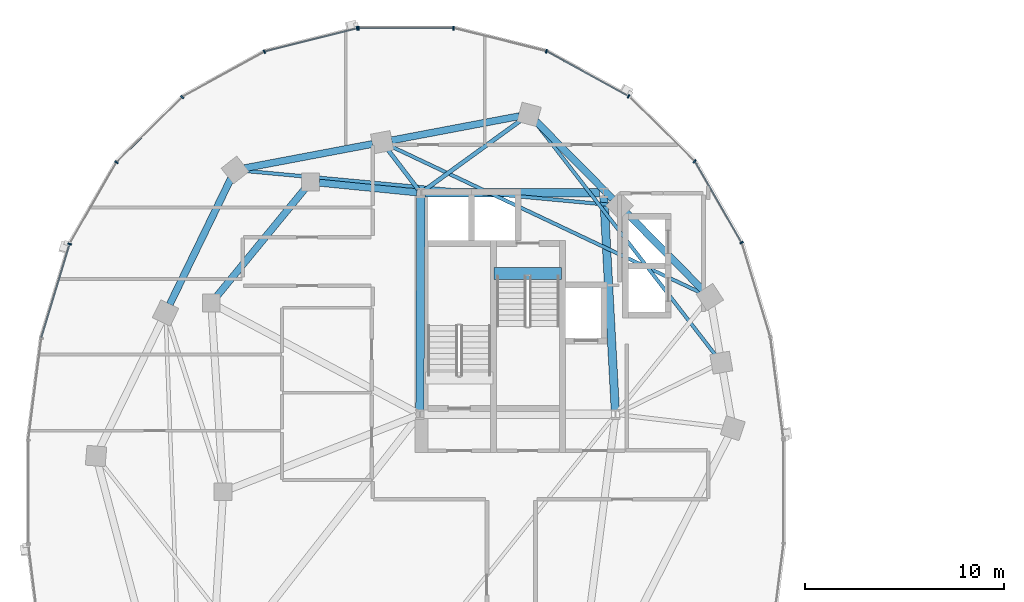
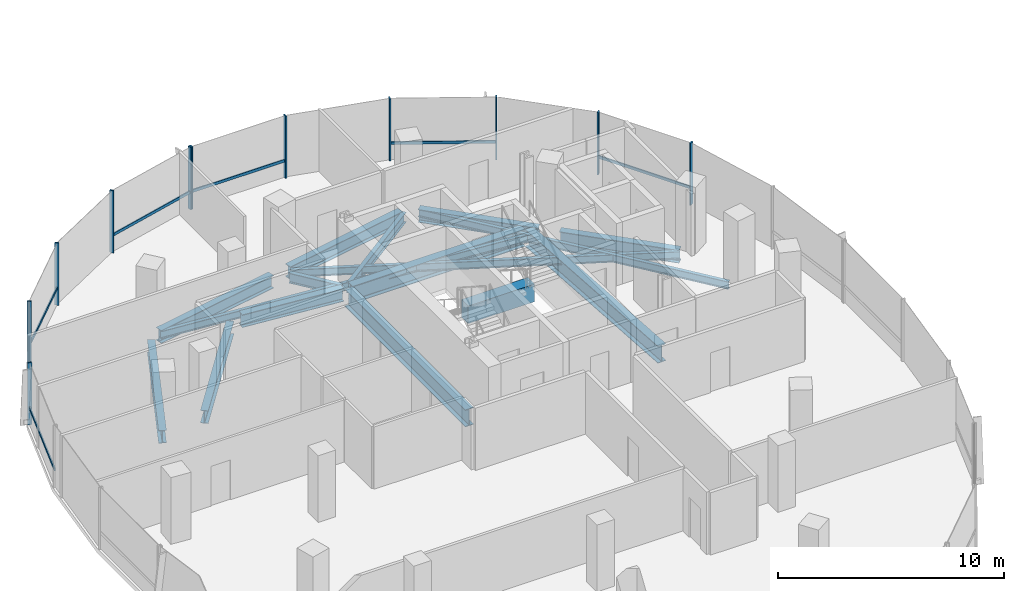
# One storey, part 5 of 22: 17 members, 16 beams, 2 elements without a shape of their own.
"""IFC4 building model written with IfcOpenShell, lengths in metres."""

import ifcopenshell
import ifcopenshell.guid

model = None  # the IFC model being written
_history = None  # IfcOwnerHistory: only IFC2X3 demands one
_inside = {}  # id of a spatial element -> (the spatial element, [elements in it])
_under = {}  # id of a project, library or spatial element -> (it, [spatial elements below it])
_declared = {}  # id of a project -> (the project, [libraries it declares])
_typed = {}  # id of a type object -> (the type object, [elements of that type])
_made_of = {}  # id of a material, layer set ... -> (it, [elements and type objects made of it])


def new_model(schema):
    """Start an empty IFC model of exactly this schema.

    Asked for "IFC4X3", IfcOpenShell would pick the latest addendum, in which some entities
    have other attributes; the version numbers below select the first issue.
    IFC2X3 requires an IfcOwnerHistory on every rooted entity: one is made here for all.
    """
    global model, _history
    if schema == "IFC4X3":
        model = ifcopenshell.file(schema_version=(4, 3, 0, 0))
    else:
        model = ifcopenshell.file(schema=schema)
    _inside.clear()
    _under.clear()
    _declared.clear()
    _typed.clear()
    _made_of.clear()
    _history = None
    if model.schema == "IFC2X3":
        org = make("IfcOrganization", Name="unknown")
        user = make(
            "IfcPersonAndOrganization",
            ThePerson=make("IfcPerson", FamilyName="unknown"),
            TheOrganization=org,
        )
        app = make(
            "IfcApplication",
            ApplicationDeveloper=org,
            Version="unknown",
            ApplicationFullName="unknown",
            ApplicationIdentifier="unknown",
        )
        _history = make(
            "IfcOwnerHistory",
            OwningUser=user,
            OwningApplication=app,
            ChangeAction="ADDED",
            CreationDate=0,
        )
    return model


def make(cls, **values):
    """One entity of the class cls with the attributes given. An attribute that is None is left unset."""
    return model.create_entity(
        cls, **{name: value for name, value in values.items() if value is not None}
    )


def rooted(cls, **values):
    """An entity with a GlobalId (a new one), such as an element, a storey or a relation."""
    return make(cls, GlobalId=ifcopenshell.guid.new(), OwnerHistory=_history, **values)


def si_unit(unit_type, name, prefix=None):
    """IfcSIUnit, for example si_unit("LENGTHUNIT", "METRE", prefix="MILLI")."""
    return make("IfcSIUnit", UnitType=unit_type, Prefix=prefix, Name=name)


def assignment(units):
    """IfcUnitAssignment: the units of a project."""
    return None if units is None else make("IfcUnitAssignment", Units=units)


def point(xyz):
    """IfcCartesianPoint."""
    return None if xyz is None else make("IfcCartesianPoint", Coordinates=xyz)


def direction(xyz):
    """IfcDirection."""
    return None if xyz is None else make("IfcDirection", DirectionRatios=xyz)


def frame(location, z_axis=None, x_axis=None):
    """IfcAxis2Placement3D, a coordinate frame: its origin and axes. An axis left out is left unset."""
    return make(
        "IfcAxis2Placement3D",
        Location=point(location),
        Axis=direction(z_axis),
        RefDirection=direction(x_axis),
    )


def frame_2d(location, x_axis=None):
    """IfcAxis2Placement2D, a coordinate frame in the plane: its origin and x axis."""
    return make(
        "IfcAxis2Placement2D", Location=point(location), RefDirection=direction(x_axis)
    )


def origin():
    """The frame at (0, 0, 0) with its axes left unset."""
    return frame((0.0, 0.0, 0.0))


def origin_2d():
    """The frame at (0, 0) in the plane with its x axis left unset."""
    return frame_2d((0.0, 0.0))


def place(relative_to, where):
    """IfcLocalPlacement: puts the frame where relative to a parent placement (None: the world)."""
    return make(
        "IfcLocalPlacement", PlacementRelTo=relative_to, RelativePlacement=where
    )


def context(
    kind, dimensions, precision=None, world=None, true_north=None, identifier=None
):
    """IfcGeometricRepresentationContext, for example the 3D "Model" context."""
    return make(
        "IfcGeometricRepresentationContext",
        ContextIdentifier=identifier,
        ContextType=kind,
        CoordinateSpaceDimension=dimensions,
        Precision=precision,
        WorldCoordinateSystem=world,
        TrueNorth=true_north,
    )


def subcontext(parent, identifier, kind, view, scale=None):
    """IfcGeometricRepresentationSubContext, for example "Body" below "Model"."""
    return make(
        "IfcGeometricRepresentationSubContext",
        ContextIdentifier=identifier,
        ContextType=kind,
        ParentContext=parent,
        TargetScale=scale,
        TargetView=view,
    )


def project(units=None, contexts=None):
    """IfcProject with its units and contexts."""
    return rooted(
        "IfcProject",
        Name="project",
        RepresentationContexts=contexts,
        UnitsInContext=assignment(units),
    )


def spatial(cls, under=None, at=None, **own):
    """A site, building, storey or space (cls), placed at a placement, below another one or the project."""
    s = rooted(cls, ObjectPlacement=at, **own)
    if under is not None:
        _under.setdefault(under.id(), (under, []))[1].append(s)
    return s


def profile(cls, at=None, kind="AREA", **sizes):
    """A parametric profile (cls). Its sizes go by their IFC names, for example OverallWidth=200.0."""
    return make(cls, ProfileType=kind, Position=at, **sizes)


def rectangle(**sizes):
    """IfcRectangleProfileDef."""
    return profile("IfcRectangleProfileDef", **sizes)


def i_section(**sizes):
    """IfcIShapeProfileDef."""
    return profile("IfcIShapeProfileDef", **sizes)


def extrude(swept, where, along, depth):
    """IfcExtrudedAreaSolid: the profile swept, set in the frame where, extruded along a direction by depth."""
    return make(
        "IfcExtrudedAreaSolid",
        SweptArea=swept,
        Position=where,
        ExtrudedDirection=direction(along),
        Depth=depth,
    )


def shape(context_of_items, identifier, shape_type, items):
    """IfcShapeRepresentation: the items that make up one representation, for example the "Body"."""
    return make(
        "IfcShapeRepresentation",
        ContextOfItems=context_of_items,
        RepresentationIdentifier=identifier,
        RepresentationType=shape_type,
        Items=items,
    )


def material(Name=None, Category=None):
    """IfcMaterial."""
    return make("IfcMaterial", Name=Name, Category=Category)


def material_profile(
    of_material, cross_section, Name=None, Category=None, Priority=None
):
    """IfcMaterialProfile: a cross section and its material."""
    return make(
        "IfcMaterialProfile",
        Name=Name,
        Material=of_material,
        Profile=cross_section,
        Priority=Priority,
        Category=Category,
    )


def profile_set(profiles, Name=None, composite=None):
    """IfcMaterialProfileSet."""
    return make(
        "IfcMaterialProfileSet",
        Name=Name,
        MaterialProfiles=profiles,
        CompositeProfile=composite,
    )


def made_of(thing, what):
    """Note that an element or type object is made of a material, layer set ...; save() writes the relation."""
    if what is not None:
        _made_of.setdefault(what.id(), (what, []))[1].append(thing)
    return thing


def type_object(cls, material=None, **own):
    """A type object (cls), such as IfcWallType, which elements share."""
    return made_of(rooted(cls, **own), material)


def element(
    cls,
    number,
    at=None,
    inside=None,
    cuts=None,
    type_object=None,
    material=None,
    context=None,
    identifier="Body",
    shape_type=None,
    held_by="IfcProductDefinitionShape",
    body=None,
    shapes=None,
    **own,
):
    """One element of the class cls, such as IfcWall. Its Tag is "e" and its number.

    at: its placement. inside: the storey or other place that contains it. cuts: it is an
    opening in that element (IfcRelVoidsElement). A single representation is given by context,
    identifier, shape_type and body (its items); several are given by shapes. held_by: the class
    of the entity that holds the representations. save() writes the other relations.
    """
    e = rooted(cls, Tag="e%d" % number, ObjectPlacement=at, **own)
    if body is not None:
        shapes = [shape(context, identifier, shape_type, body)]
    if shapes is not None:
        e.Representation = make(held_by, Representations=shapes)
    if inside is not None:
        _inside.setdefault(inside.id(), (inside, []))[1].append(e)
    if cuts is not None:
        rooted(
            "IfcRelVoidsElement", RelatingBuildingElement=cuts, RelatedOpeningElement=e
        )
    if type_object is not None:
        _typed.setdefault(type_object.id(), (type_object, []))[1].append(e)
    return made_of(e, material)


def aggregate(whole, parts):
    """IfcRelAggregates: a whole, such as a stair, and the parts it consists of."""
    return rooted("IfcRelAggregates", RelatingObject=whole, RelatedObjects=parts)


def save(model, path):
    """Write the relations noted so far, then the file.

    IfcRelAggregates (storeys below a building ...), IfcRelContainedInSpatialStructure (elements
    in a storey), IfcRelDefinesByType, IfcRelAssociatesMaterial and IfcRelDeclares: one each for
    every whole, place, type object, material and project.
    """
    for whole, parts in _under.values():
        aggregate(whole, parts)
    for where, things in _inside.values():
        rooted(
            "IfcRelContainedInSpatialStructure",
            RelatedElements=things,
            RelatingStructure=where,
        )
    for kind, things in _typed.values():
        rooted("IfcRelDefinesByType", RelatedObjects=things, RelatingType=kind)
    for what, things in _made_of.values():
        rooted("IfcRelAssociatesMaterial", RelatedObjects=things, RelatingMaterial=what)
    for by, libraries in _declared.values():
        rooted("IfcRelDeclares", RelatingContext=by, RelatedDefinitions=libraries)
    model.write(path)


model = new_model("IFC4")

# Units and contexts
model_context = context("Model", 3, precision=1e-05, world=origin(), true_north=direction((0.0, 1.0)))
body_context = subcontext(model_context, "Body", "Model", "MODEL_VIEW")
ifc_project = project(units=[si_unit("LENGTHUNIT", "METRE"), si_unit("AREAUNIT", "SQUARE_METRE"), si_unit("VOLUMEUNIT", "CUBIC_METRE"), si_unit("PLANEANGLEUNIT", "RADIAN"), si_unit("MASSUNIT", "GRAM", prefix="KILO"), si_unit("THERMODYNAMICTEMPERATUREUNIT", "KELVIN"), si_unit("POWERUNIT", "WATT")], contexts=[model_context])

# Site, building, storey
site_placement = place(None, origin())
site = spatial("IfcSite", under=ifc_project, at=site_placement, CompositionType="ELEMENT")
building_placement = place(site_placement, origin())
building = spatial("IfcBuilding", under=site, at=building_placement, Name="Cundina Bronze Exchange", CompositionType="ELEMENT")
storey_placement = place(building_placement, frame((0.0, 0.0, 151.199951171875)))
storey = spatial("IfcBuildingStorey", under=building, at=storey_placement, Name="L39", CompositionType="ELEMENT", Elevation=151.199951171875)

# Beams
ifc_material_1 = material(Name="Concrete C60/75", Category="concrete")
ifc_material_profile_1 = material_profile(ifc_material_1, rectangle(XDim=0.60009765625, YDim=0.949951171875, at=origin_2d()), Name="RC600X950", Category="concrete")
ifc_profile_set_1 = profile_set([ifc_material_profile_1], Name="Concrete C60/75")
beam_type_1 = type_object("IfcBeamType", Name="BM-COUP-RC950", PredefinedType="LINTEL", material=ifc_profile_set_1)
beam_1_placement = place(storey_placement, frame((-27.56005859375, 10.97998046875, -0.474853515625), z_axis=(1.0, 0.0, 0.0), x_axis=(0.0, 1.0, 0.0)))
element("IfcBeam", 1, at=beam_1_placement, inside=storey, type_object=beam_type_1, Name="L39 Stair W2 Landing Header Beam", PredefinedType="LINTEL", context=body_context, shape_type="SweptSolid", body=[
    extrude(rectangle(XDim=0.60009765625, YDim=0.949951171875, at=origin_2d()), origin(), (0.0, 0.0, 1.0), 3.400146484375),
])
ifc_material_2 = material(Name="Steel ASTM A992 Grade 50", Category="steel")
ifc_material_profile_2 = material_profile(ifc_material_2, i_section(OverallWidth=0.2119140625, OverallDepth=0.5439453125, WebThickness=0.01318359375, FlangeThickness=0.021240234375, FilletRadius=0.013916015625, at=origin_2d()), Name="W21X83", Category="steel")
ifc_profile_set_2 = profile_set([ifc_material_profile_2], Name="Steel ASTM A992 Grade 50")
beam_type_2 = type_object("IfcBeamType", Name="BM-FLR-W21A", PredefinedType="BEAM", material=ifc_profile_set_2)
beam_2_placement = place(storey_placement, frame((-31.084716796875, 15.169677734375, -0.511962890625), z_axis=(0.809693047063, 0.586853618492, 0.0), x_axis=(-0.586853618492, 0.809693047063, 0.0)))
element("IfcBeam", 2, at=beam_2_placement, inside=storey, type_object=beam_type_2, Name="L39 Leg W Radial Floor Beam 04", PredefinedType="BEAM", context=body_context, shape_type="SweptSolid", body=[
    extrude(i_section(OverallWidth=0.2119140625, OverallDepth=0.5439453125, WebThickness=0.01318359375, FlangeThickness=0.021240234375, FilletRadius=0.013916015625, at=origin_2d()), origin(), (0.0, 0.0, 1.0), 6.038818359375),
])
beam_3_placement = place(storey_placement, frame((-31.373779296875, 15.2119140625, -0.511962890625), z_axis=(-0.607450107571, 0.794357832977, 0.0), x_axis=(-0.794357832977, -0.607450107571, 0.0)))
element("IfcBeam", 3, at=beam_3_placement, inside=storey, type_object=beam_type_2, Name="L39 Leg W Radial Floor Beam 05", PredefinedType="BEAM", context=body_context, shape_type="SweptSolid", body=[
    extrude(i_section(OverallWidth=0.2119140625, OverallDepth=0.5439453125, WebThickness=0.01318359375, FlangeThickness=0.021240234375, FilletRadius=0.013916015625, at=origin_2d()), origin(), (0.0, 0.0, 1.0), 2.518310546875),
])
ifc_material_profile_3 = material_profile(ifc_material_2, i_section(OverallWidth=0.178955078125, OverallDepth=0.409912109375, WebThickness=0.0087890625, FlangeThickness=0.014404296875, FilletRadius=0.010986328125, at=origin_2d()), Name="W16X45", Category="steel")
ifc_profile_set_3 = profile_set([ifc_material_profile_3], Name="Steel ASTM A992 Grade 50")
beam_type_3 = type_object("IfcBeamType", Name="BM-JST-W16", PredefinedType="JOIST", material=ifc_profile_set_3)
beam_4_placement = place(storey_placement, frame((-16.423583984375, 6.885986328125, -0.445068359375), z_axis=(-0.61208354334, 0.790793105668, 0.0), x_axis=(-0.790793105668, -0.61208354334, 0.0)))
element("IfcBeam", 4, at=beam_4_placement, inside=storey, type_object=beam_type_3, Name="L39 Leg W Lobe Floor Joist 01-04", PredefinedType="JOIST", context=body_context, shape_type="SweptSolid", body=[
    extrude(i_section(OverallWidth=0.178955078125, OverallDepth=0.409912109375, WebThickness=0.0087890625, FlangeThickness=0.014404296875, FilletRadius=0.010986328125, at=origin_2d()), origin(), (0.0, 0.0, 1.0), 14.830810546875),
])
beam_5_placement = place(storey_placement, frame((-17.14111328125, 10.008544921875, -0.445068359375), z_axis=(-0.904074252188, 0.427375416385, 0.0), x_axis=(-0.427375416385, -0.904074252188, 0.0)))
element("IfcBeam", 5, at=beam_5_placement, inside=storey, type_object=beam_type_3, Name="L39 Leg W Lobe Floor Joist 02-05", PredefinedType="JOIST", context=body_context, shape_type="SweptSolid", body=[
    extrude(i_section(OverallWidth=0.178955078125, OverallDepth=0.409912109375, WebThickness=0.0087890625, FlangeThickness=0.014404296875, FilletRadius=0.010986328125, at=origin_2d()), origin(), (0.0, 0.0, 1.0), 17.274658203125),
])
beam_6_placement = place(storey_placement, frame((-21.73583984375, 14.4453125, -0.445068359375), z_axis=(-0.995701840093, 0.092616659595, 0.0), x_axis=(-0.092616659595, -0.995701840093, 0.0)))
element("IfcBeam", 6, at=beam_6_placement, inside=storey, type_object=beam_type_3, Name="L39 Leg W Lobe Floor Joist 03-06", PredefinedType="JOIST", context=body_context, shape_type="SweptSolid", body=[
    extrude(i_section(OverallWidth=0.178955078125, OverallDepth=0.409912109375, WebThickness=0.0087890625, FlangeThickness=0.014404296875, FilletRadius=0.010986328125, at=origin_2d()), origin(), (0.0, 0.0, 1.0), 18.45751953125),
])
ifc_material_profile_4 = material_profile(ifc_material_2, i_section(OverallWidth=0.35498046875, OverallDepth=0.695068359375, WebThickness=0.015380859375, FlangeThickness=0.02490234375, FilletRadius=0.01806640625, at=origin_2d()), Name="W27X146", Category="steel")
ifc_profile_set_4 = profile_set([ifc_material_profile_4], Name="Steel ASTM A992 Grade 50")
beam_type_4 = type_object("IfcBeamType", Name="BM-RING-W27", PredefinedType="USERDEFINED", material=ifc_profile_set_4)
beam_7_placement = place(storey_placement, frame((-31.452880859375, 15.070068359375, -0.58740234375), z_axis=(-0.995123020608, 0.098641643622, 0.0), x_axis=(-0.098641643622, -0.995123020608, 0.0)))
element("IfcBeam", 7, at=beam_7_placement, inside=storey, type_object=beam_type_4, Name="L39 W Inner Structural Ring Girder 01", ObjectType="GIRDER", PredefinedType="USERDEFINED", context=body_context, shape_type="SweptSolid", body=[
    extrude(i_section(OverallWidth=0.35498046875, OverallDepth=0.695068359375, WebThickness=0.015380859375, FlangeThickness=0.02490234375, FilletRadius=0.01806640625, at=origin_2d()), origin(), (0.0, 0.0, 1.0), 4.935302734375),
])
beam_8_placement = place(storey_placement, frame((-37.07763671875, 15.26123046875, -0.58740234375), z_axis=(-0.633912590175, -0.77340469873, 0.0), x_axis=(0.77340469873, -0.633912590175, 0.0)))
element("IfcBeam", 8, at=beam_8_placement, inside=storey, type_object=beam_type_4, Name="L39 W Inner Structural Ring Girder 02", ObjectType="GIRDER", PredefinedType="USERDEFINED", context=body_context, shape_type="SweptSolid", body=[
    extrude(i_section(OverallWidth=0.35498046875, OverallDepth=0.695068359375, WebThickness=0.015380859375, FlangeThickness=0.02490234375, FilletRadius=0.01806640625, at=origin_2d()), origin(), (0.0, 0.0, 1.0), 7.01123046875),
])
beam_9_placement = place(storey_placement, frame((-17.043212890625, 10.14697265625, -0.58740234375), z_axis=(-0.703230112979, 0.710962311378, 0.0), x_axis=(-0.710962311378, -0.703230112979, 0.0)))
element("IfcBeam", 9, at=beam_9_placement, inside=storey, type_object=beam_type_4, Name="L39 W Perimeter Ring Girder 02", ObjectType="GIRDER", PredefinedType="USERDEFINED", context=body_context, shape_type="SweptSolid", body=[
    extrude(i_section(OverallWidth=0.35498046875, OverallDepth=0.695068359375, WebThickness=0.015380859375, FlangeThickness=0.02490234375, FilletRadius=0.01806640625, at=origin_2d()), origin(), (0.0, 0.0, 1.0), 5.493896484375),
])
beam_10_placement = place(storey_placement, frame((-21.59326171875, 14.746826171875, -0.58740234375), z_axis=(-0.703207895705, 0.710984286337, 0.0), x_axis=(-0.710984286337, -0.703207895705, 0.0)))
element("IfcBeam", 10, at=beam_10_placement, inside=storey, type_object=beam_type_4, Name="L39 W Perimeter Ring Girder 03", ObjectType="GIRDER", PredefinedType="USERDEFINED", context=body_context, shape_type="SweptSolid", body=[
    extrude(i_section(OverallWidth=0.35498046875, OverallDepth=0.695068359375, WebThickness=0.015380859375, FlangeThickness=0.02490234375, FilletRadius=0.01806640625, at=origin_2d()), origin(), (0.0, 0.0, 1.0), 5.494140625),
])
beam_11_placement = place(storey_placement, frame((-26.279541015625, 18.9091796875, -0.58740234375), z_axis=(-0.982571532667, -0.185884865421, 0.0), x_axis=(0.185884865421, -0.982571532667, 0.0)))
element("IfcBeam", 11, at=beam_11_placement, inside=storey, type_object=beam_type_4, Name="L39 W Perimeter Ring Girder 04", ObjectType="GIRDER", PredefinedType="USERDEFINED", context=body_context, shape_type="SweptSolid", body=[
    extrude(i_section(OverallWidth=0.35498046875, OverallDepth=0.695068359375, WebThickness=0.015380859375, FlangeThickness=0.02490234375, FilletRadius=0.01806640625, at=origin_2d()), origin(), (0.0, 0.0, 1.0), 6.55517578125),
])
beam_12_placement = place(storey_placement, frame((-33.679443359375, 17.50927734375, -0.58740234375), z_axis=(-0.982572819495, -0.185878063226, 0.0), x_axis=(0.185878063226, -0.982572819495, 0.0)))
element("IfcBeam", 12, at=beam_12_placement, inside=storey, type_object=beam_type_4, Name="L39 W Perimeter Ring Girder 05", ObjectType="GIRDER", PredefinedType="USERDEFINED", context=body_context, shape_type="SweptSolid", body=[
    extrude(i_section(OverallWidth=0.35498046875, OverallDepth=0.695068359375, WebThickness=0.015380859375, FlangeThickness=0.02490234375, FilletRadius=0.01806640625, at=origin_2d()), origin(), (0.0, 0.0, 1.0), 6.555419921875),
])
beam_13_placement = place(storey_placement, frame((-40.8134765625, 15.760986328125, -0.58740234375), z_axis=(-0.437196998825, -0.89936576776, 0.0), x_axis=(0.89936576776, -0.437196998825, 0.0)))
element("IfcBeam", 13, at=beam_13_placement, inside=storey, type_object=beam_type_4, Name="L39 W Perimeter Ring Girder 06", ObjectType="GIRDER", PredefinedType="USERDEFINED", context=body_context, shape_type="SweptSolid", body=[
    extrude(i_section(OverallWidth=0.35498046875, OverallDepth=0.695068359375, WebThickness=0.015380859375, FlangeThickness=0.02490234375, FilletRadius=0.01806640625, at=origin_2d()), origin(), (0.0, 0.0, 1.0), 7.029541015625),
])
ifc_material_profile_5 = material_profile(ifc_material_2, i_section(OverallWidth=0.41796875, OverallDepth=0.927001953125, WebThickness=0.019287109375, FlangeThickness=0.031982421875, FilletRadius=0.02392578125, at=origin_2d()), Name="W36X231", Category="steel")
ifc_profile_set_5 = profile_set([ifc_material_profile_5], Name="Steel ASTM A992 Grade 50")
beam_type_5 = type_object("IfcBeamType", Name="BM-WRN-W36B", PredefinedType="USERDEFINED", material=ifc_profile_set_5)
beam_14_placement = place(storey_placement, frame((-21.4609375, 4.103759765625, -0.703369140625), z_axis=(-0.053739193498, 0.998555005537, 0.0), x_axis=(-0.998555005537, -0.053739193498, 0.0)))
element("IfcBeam", 14, at=beam_14_placement, inside=storey, type_object=beam_type_5, Name="L39 W Core Perimeter Tie Girder 2", ObjectType="GIRDER", PredefinedType="USERDEFINED", context=body_context, shape_type="SweptSolid", body=[
    extrude(i_section(OverallWidth=0.41796875, OverallDepth=0.927001953125, WebThickness=0.019287109375, FlangeThickness=0.031982421875, FilletRadius=0.02392578125, at=origin_2d()), origin(), (0.0, 0.0, 1.0), 10.758056640625),
])
beam_15_placement = place(storey_placement, frame((-22.25390625, 15.050048828125, -0.703369140625), z_axis=(-1.0, 0.0, 0.0), x_axis=(0.0, -1.0, 0.0)))
element("IfcBeam", 15, at=beam_15_placement, inside=storey, type_object=beam_type_5, Name="L39 W Core Perimeter Tie Girder 3", ObjectType="GIRDER", PredefinedType="USERDEFINED", context=body_context, shape_type="SweptSolid", body=[
    extrude(i_section(OverallWidth=0.41796875, OverallDepth=0.927001953125, WebThickness=0.019287109375, FlangeThickness=0.031982421875, FilletRadius=0.02392578125, at=origin_2d()), origin(), (0.0, 0.0, 1.0), 8.7919921875),
])
beam_16_placement = place(storey_placement, frame((-31.2509765625, 14.845947265625, -0.703369140625), z_axis=(-0.004477329608, -0.99998997671, 0.0), x_axis=(0.99998997671, -0.004477329608, 0.0)))
element("IfcBeam", 16, at=beam_16_placement, inside=storey, type_object=beam_type_5, Name="L39 W Core Perimeter Tie Girder 4", ObjectType="GIRDER", PredefinedType="USERDEFINED", context=body_context, shape_type="SweptSolid", body=[
    extrude(i_section(OverallWidth=0.41796875, OverallDepth=0.927001953125, WebThickness=0.019287109375, FlangeThickness=0.031982421875, FilletRadius=0.02392578125, at=origin_2d()), origin(), (0.0, 0.0, 1.0), 10.741943359375),
])

# Curtain wall, members
ifc_material_3 = material(Name="Anodised Bronze Aluminium 6063-T6", Category="aluminium")
curtain_wall_type = type_object("IfcCurtainWallType", Name="CWS-WST-PIN", PredefinedType="NOTDEFINED", material=ifc_material_3)
curtain_wall_1_placement = place(storey_placement, origin())
curtain_wall_1 = element("IfcCurtainWall", 17, at=curtain_wall_1_placement, inside=storey, type_object=curtain_wall_type, Name="L39 CW-04 Curtain Wall Run CWR-L39-W1", PredefinedType="NOTDEFINED")
ifc_material_profile_6 = material_profile(ifc_material_3, rectangle(XDim=0.070068359375, YDim=0.18994140625, at=origin_2d()), Name="AL70X190", Category="aluminium")
ifc_profile_set_6 = profile_set([ifc_material_profile_6], Name="Anodised Bronze Aluminium 6063-T6")
member_type_1 = type_object("IfcMemberType", Name="CWM-MUL-190", PredefinedType="MULLION", material=ifc_profile_set_6)
member_1_placement = place(storey_placement, frame((-15.10205078125, 12.541259765625, 0.0), z_axis=(0.0, 0.0, 1.0), x_axis=(-0.498487739754, 0.866896748936, 0.0)))
member_1 = element("IfcMember", 18, at=member_1_placement, type_object=member_type_1, Name="CW-04 Mullion 3", PredefinedType="MULLION", context=body_context, shape_type="SweptSolid", body=[
    extrude(rectangle(XDim=0.070068359375, YDim=0.18994140625, at=origin_2d()), origin(), (0.0, 0.0, 1.0), 3.360107421875),
])
member_2_placement = place(storey_placement, frame((-17.469482421875, 16.640380859375, 0.0), z_axis=(0.0, 0.0, 1.0), x_axis=(-0.712026045991, 0.702153052995, 0.0)))
member_2 = element("IfcMember", 19, at=member_2_placement, type_object=member_type_1, Name="CW-04 Mullion 4", PredefinedType="MULLION", context=body_context, shape_type="SweptSolid", body=[
    extrude(rectangle(XDim=0.070068359375, YDim=0.18994140625, at=origin_2d()), origin(), (0.0, 0.0, 1.0), 3.360107421875),
])
member_3_placement = place(storey_placement, frame((-20.79345703125, 19.906005859375, 0.0), z_axis=(0.0, 0.0, 1.0), x_axis=(-0.875885937035, 0.482518212408, 0.0)))
member_3 = element("IfcMember", 20, at=member_3_placement, type_object=member_type_1, Name="CW-04 Mullion 5", PredefinedType="MULLION", context=body_context, shape_type="SweptSolid", body=[
    extrude(rectangle(XDim=0.070068359375, YDim=0.18994140625, at=origin_2d()), origin(), (0.0, 0.0, 1.0), 3.360107421875),
])
member_4_placement = place(storey_placement, frame((-24.932373046875, 22.17626953125, 0.0), z_axis=(0.0, 0.0, 1.0), x_axis=(-0.970084240161, 0.242768546132, 0.0)))
member_4 = element("IfcMember", 21, at=member_4_placement, type_object=member_type_1, Name="CW-04 Mullion 6", PredefinedType="MULLION", context=body_context, shape_type="SweptSolid", body=[
    extrude(rectangle(XDim=0.070068359375, YDim=0.18994140625, at=origin_2d()), origin(), (0.0, 0.0, 1.0), 3.360107421875),
])
member_5_placement = place(storey_placement, frame((-29.60595703125, 23.3369140625, 0.0), z_axis=(0.0, 0.0, 1.0), x_axis=(-1.0, 0.0, 0.0)))
member_5 = element("IfcMember", 22, at=member_5_placement, type_object=member_type_1, Name="CW-04 Mullion 7", PredefinedType="MULLION", context=body_context, shape_type="SweptSolid", body=[
    extrude(rectangle(XDim=0.070068359375, YDim=0.18994140625, at=origin_2d()), origin(), (0.0, 0.0, 1.0), 3.360107421875),
])
member_6_placement = place(storey_placement, frame((-34.39404296875, 23.3369140625, 0.0), z_axis=(0.0, 0.0, 1.0), x_axis=(-1.0, 0.0, 0.0)))
member_6 = element("IfcMember", 23, at=member_6_placement, type_object=member_type_1, Name="CW-04 End Mullion", PredefinedType="MULLION", context=body_context, shape_type="SweptSolid", body=[
    extrude(rectangle(XDim=0.070068359375, YDim=0.18994140625, at=origin_2d()), origin(), (0.0, 0.0, 1.0), 3.360107421875),
])

curtain_wall_2_placement = place(storey_placement, origin())
curtain_wall_2 = element("IfcCurtainWall", 24, at=curtain_wall_2_placement, inside=storey, type_object=curtain_wall_type, Name="L39 CW-04 Curtain Wall Run CWR-L39-W2", PredefinedType="NOTDEFINED")
member_7_placement = place(storey_placement, frame((-34.462646484375, 23.32861328125, 0.0), z_axis=(0.0, 0.0, 1.0), x_axis=(-0.970084240161, -0.242768546132, 0.0)))
member_7 = element("IfcMember", 25, at=member_7_placement, type_object=member_type_1, Name="CW-04 Mullion 1", PredefinedType="MULLION", context=body_context, shape_type="SweptSolid", body=[
    extrude(rectangle(XDim=0.070068359375, YDim=0.18994140625, at=origin_2d()), origin(), (0.0, 0.0, 1.0), 3.360107421875),
])
member_8_placement = place(storey_placement, frame((-39.13037109375, 22.151611328125, 0.0), z_axis=(0.0, 0.0, 1.0), x_axis=(-0.875885937035, -0.482518212408, 0.0)))
member_8 = element("IfcMember", 26, at=member_8_placement, type_object=member_type_1, Name="CW-04 Mullion 2", PredefinedType="MULLION", context=body_context, shape_type="SweptSolid", body=[
    extrude(rectangle(XDim=0.070068359375, YDim=0.18994140625, at=origin_2d()), origin(), (0.0, 0.0, 1.0), 3.360107421875),
])
member_9_placement = place(storey_placement, frame((-43.259033203125, 19.86669921875, 0.0), z_axis=(0.0, 0.0, 1.0), x_axis=(-0.712026045991, -0.702153052995, 0.0)))
member_9 = element("IfcMember", 27, at=member_9_placement, type_object=member_type_1, Name="CW-04 Mullion 3", PredefinedType="MULLION", context=body_context, shape_type="SweptSolid", body=[
    extrude(rectangle(XDim=0.070068359375, YDim=0.18994140625, at=origin_2d()), origin(), (0.0, 0.0, 1.0), 3.360107421875),
])
member_10_placement = place(storey_placement, frame((-46.57080078125, 16.588134765625, 0.0), z_axis=(0.0, 0.0, 1.0), x_axis=(-0.498487739754, -0.866896748936, 0.0)))
member_10 = element("IfcMember", 28, at=member_10_placement, type_object=member_type_1, Name="CW-04 Mullion 4", PredefinedType="MULLION", context=body_context, shape_type="SweptSolid", body=[
    extrude(rectangle(XDim=0.070068359375, YDim=0.18994140625, at=origin_2d()), origin(), (0.0, 0.0, 1.0), 3.360107421875),
])
member_11_placement = place(storey_placement, frame((-48.92626953125, 12.4755859375, 0.0), z_axis=(0.0, 0.0, 1.0), x_axis=(-0.290034140915, -0.957016299288, 0.0)))
member_11 = element("IfcMember", 29, at=member_11_placement, type_object=member_type_1, Name="CW-04 Mullion 5", PredefinedType="MULLION", context=body_context, shape_type="SweptSolid", body=[
    extrude(rectangle(XDim=0.070068359375, YDim=0.18994140625, at=origin_2d()), origin(), (0.0, 0.0, 1.0), 3.360107421875),
])

# Member
ifc_material_profile_7 = material_profile(ifc_material_3, rectangle(XDim=0.06494140625, YDim=0.14990234375, at=origin_2d()), Name="AL65X150", Category="aluminium")
ifc_profile_set_7 = profile_set([ifc_material_profile_7], Name="Anodised Bronze Aluminium 6063-T6")
member_type_2 = type_object("IfcMemberType", Name="CWM-TRN-150", PredefinedType="USERDEFINED", material=ifc_profile_set_7)
member_12_placement = place(storey_placement, frame((-15.121337890625, 12.574462890625, 0.920166015625), z_axis=(-0.498479967047, 0.866901218394, 0.0), x_axis=(-0.866901218394, -0.498479967047, 0.0)))
member_12 = element("IfcMember", 30, at=member_12_placement, type_object=member_type_2, Name="CW-04 Spandrel Transom 3", ObjectType="TRANSOM", PredefinedType="USERDEFINED", context=body_context, shape_type="SweptSolid", body=[
    extrude(rectangle(XDim=0.06494140625, YDim=0.14990234375, at=origin_2d()), origin(), (0.0, 0.0, 1.0), 4.66845703125),
])

member_13_placement = place(storey_placement, frame((-20.8271484375, 19.924560546875, 0.920166015625), z_axis=(-0.875878981549, 0.482530838062, 0.0), x_axis=(-0.482530838062, -0.875878981549, 0.0)))
member_13 = element("IfcMember", 31, at=member_13_placement, type_object=member_type_2, Name="CW-04 Spandrel Transom 5", ObjectType="TRANSOM", PredefinedType="USERDEFINED", context=body_context, shape_type="SweptSolid", body=[
    extrude(rectangle(XDim=0.06494140625, YDim=0.14990234375, at=origin_2d()), origin(), (0.0, 0.0, 1.0), 4.65380859375),
])

member_14_placement = place(storey_placement, frame((-29.64453125, 23.3369140625, 0.920166015625), z_axis=(-1.0, 0.0, 0.0), x_axis=(0.0, -1.0, 0.0)))
member_14 = element("IfcMember", 32, at=member_14_placement, type_object=member_type_2, Name="CW-04 Spandrel Transom 7", ObjectType="TRANSOM", PredefinedType="USERDEFINED", context=body_context, shape_type="SweptSolid", body=[
    extrude(rectangle(XDim=0.06494140625, YDim=0.14990234375, at=origin_2d()), origin(), (0.0, 0.0, 1.0), 4.7109375),
])

aggregate(curtain_wall_1, [member_1, member_12, member_2, member_3, member_13, member_4, member_5, member_6, member_14])

member_15_placement = place(storey_placement, frame((-34.5, 23.319091796875, 0.920166015625), z_axis=(-0.970100130035, -0.242705042606, 0.0), x_axis=(0.242705042606, -0.970100130035, 0.0)))
member_15 = element("IfcMember", 33, at=member_15_placement, type_object=member_type_2, Name="CW-04 Spandrel Transom 1", ObjectType="TRANSOM", PredefinedType="USERDEFINED", context=body_context, shape_type="SweptSolid", body=[
    extrude(rectangle(XDim=0.06494140625, YDim=0.14990234375, at=origin_2d()), origin(), (0.0, 0.0, 1.0), 4.746826171875),
])

member_16_placement = place(storey_placement, frame((-43.28662109375, 19.839599609375, 0.920166015625), z_axis=(-0.712005023839, -0.702174370102, 0.0), x_axis=(0.702174370102, -0.712005023839, 0.0)))
member_16 = element("IfcMember", 34, at=member_16_placement, type_object=member_type_2, Name="CW-04 Spandrel Transom 3", ObjectType="TRANSOM", PredefinedType="USERDEFINED", context=body_context, shape_type="SweptSolid", body=[
    extrude(rectangle(XDim=0.06494140625, YDim=0.14990234375, at=origin_2d()), origin(), (0.0, 0.0, 1.0), 4.594482421875),
])

member_17_placement = place(storey_placement, frame((-48.937255859375, 12.43896484375, 0.920166015625), z_axis=(-0.290051855969, -0.957010930371, 0.0), x_axis=(0.957010930371, -0.290051855969, 0.0)))
member_17 = element("IfcMember", 35, at=member_17_placement, type_object=member_type_2, Name="CW-04 Spandrel Transom 5", ObjectType="TRANSOM", PredefinedType="USERDEFINED", context=body_context, shape_type="SweptSolid", body=[
    extrude(rectangle(XDim=0.06494140625, YDim=0.14990234375, at=origin_2d()), origin(), (0.0, 0.0, 1.0), 4.876953125),
])

aggregate(curtain_wall_2, [member_7, member_15, member_8, member_9, member_16, member_10, member_11, member_17])

save(model, "model.ifc")
